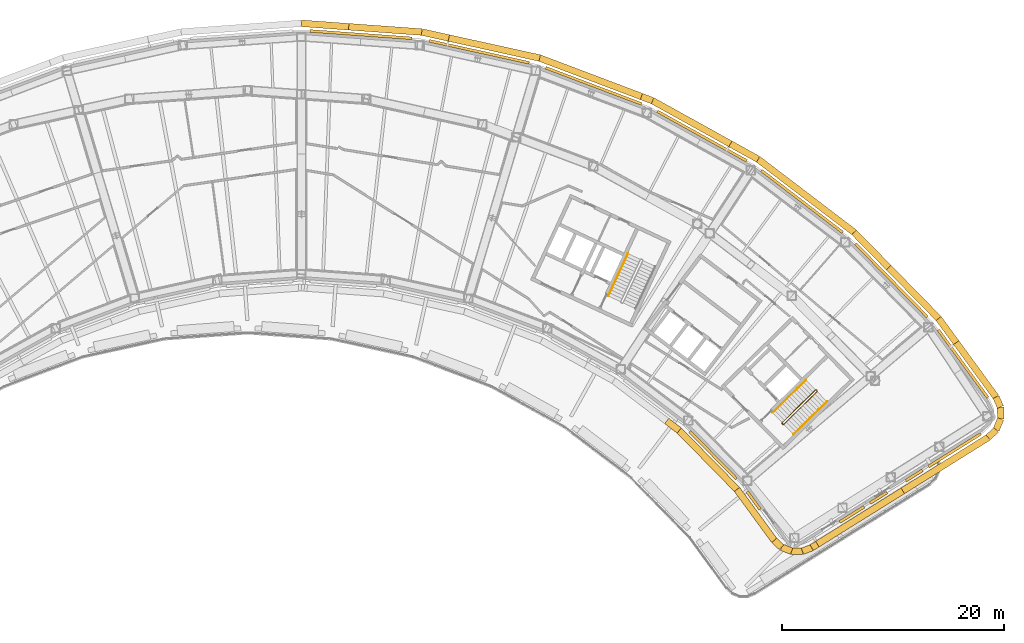
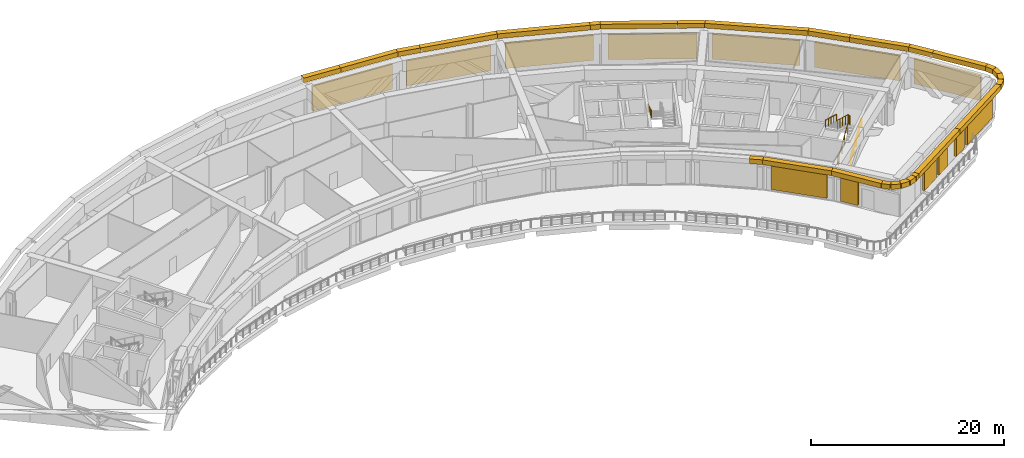
# One storey, part 23 of 25: 27 coverings, 13 shading devices, 4 railings.
"""IFC4 building model written with IfcOpenShell, lengths in metres."""

from ifc_helpers import new_model, si_unit, direction, frame, origin, origin_2d, place, context, subcontext, project, spatial, rectangle, circle, extrude, material, material_profile, profile_set, type_object, element, save


model = new_model("IFC4")

# Units and contexts
model_context = context("Model", 3, precision=1e-05, world=origin(), true_north=direction((0.0, 1.0)))
body_context = subcontext(model_context, "Body", "Model", "MODEL_VIEW")
ifc_project = project(units=[si_unit("LENGTHUNIT", "METRE"), si_unit("AREAUNIT", "SQUARE_METRE"), si_unit("VOLUMEUNIT", "CUBIC_METRE"), si_unit("PLANEANGLEUNIT", "RADIAN"), si_unit("MASSUNIT", "GRAM", prefix="KILO")], contexts=[model_context])

# Site, building, storey
site_placement = place(None, origin())
site = spatial("IfcSite", under=ifc_project, at=site_placement, CompositionType="ELEMENT")
building_placement = place(site_placement, origin())
building = spatial("IfcBuilding", under=site, at=building_placement, Name="Tuul Gate Civic Tower", CompositionType="ELEMENT")
storey_placement = place(building_placement, frame((0.0, 0.0, 60.89990234375)))
storey = spatial("IfcBuildingStorey", under=building, at=storey_placement, Name="Plant and refuge floor 2", CompositionType="ELEMENT", Elevation=60.89990234375)

# Shading devices
ifc_material_1 = material(Name="Aluminium louvre", Category="aluminium")
shading_device_type = type_object("IfcShadingDeviceType", Name="Louvre panel", PredefinedType="USERDEFINED", material=ifc_material_1)
shading_device_1_placement = place(storey_placement, frame((64.295166015625, -10.698974609375, 0.300048828125), z_axis=(0.0, 0.0, 1.0), x_axis=(0.807523128719, 0.589835906489, 0.0)))
element("IfcShadingDevice", 1, at=shading_device_1_placement, inside=storey, type_object=shading_device_type, Name="Louvre panel", ObjectType="LOUVRE", PredefinedType="USERDEFINED", context=body_context, shape_type="SweptSolid", body=[
    extrude(rectangle(XDim=0.25, YDim=7.550048828125, at=origin_2d()), origin(), (0.0, 0.0, 1.0), 3.14990234375),
])
for number, where, z_axis, x_axis, name in (
    (2, (57.853271484375, -3.194091796875, 0.300048828125), (0.0, 0.0, 1.0), (0.714100212908, 0.700043488595, 0.0), "Louvre panel"),
    (3, (49.80615234375, 3.907470703125, 0.300048828125), (0.0, 0.0, 1.0), (0.605807600786, 0.795611180684, 0.0), "Louvre panel"),
    (4, (40.820068359375, 9.775390625, 0.300048828125), (0.0, 0.0, 1.0), (0.484828595511, 0.874609188709, 0.0), "Louvre panel"),
    (5, (31.082275390625, 14.286865234375, 0.300048828125), (0.0, 0.0, 1.0), (0.35373363489, 0.935346200905, 0.0), "Louvre panel"),
    (6, (20.79541015625, 17.34814453125, 0.300048828125), (0.0, 0.0, 1.0), (0.215215147882, 0.976566659334, 0.0), "Louvre panel"),
    (7, (10.174560546875, 18.894775390625, 0.300048828125), (0.0, 0.0, 1.0), (0.072232658914, 0.997387809724, 0.0), "Louvre panel"),
):
    element("IfcShadingDevice", number, at=place(storey_placement, frame(where, z_axis=z_axis, x_axis=x_axis)), inside=storey, type_object=shading_device_type, Name=name, ObjectType="LOUVRE", PredefinedType="USERDEFINED", context=body_context, shape_type="SweptSolid", body=[
        extrude(rectangle(XDim=0.25, YDim=9.199951171875, at=origin_2d()), origin(), (0.0, 0.0, 1.0), 3.14990234375),
    ])
shading_device_2_placement = place(storey_placement, frame((41.8212890625, -18.909423828125, 0.300048828125), z_axis=(0.0, 0.0, 1.0), x_axis=(-0.714048093092, -0.700096651008, 0.0)))
element("IfcShadingDevice", 8, at=shading_device_2_placement, inside=storey, type_object=shading_device_type, Name="Louvre panel", ObjectType="LOUVRE", PredefinedType="USERDEFINED", context=body_context, shape_type="SweptSolid", body=[
    extrude(rectangle(XDim=0.25, YDim=6.0, at=origin_2d()), origin(), (0.0, 0.0, 1.0), 3.14990234375),
])
shading_device_3_placement = place(storey_placement, frame((63.529541015625, -18.46923828125, 0.300048828125), z_axis=(0.0, 0.0, 1.0), x_axis=(0.529911707044, -0.848052818366, 0.0)))
element("IfcShadingDevice", 9, at=shading_device_3_placement, inside=storey, type_object=shading_device_type, Name="Louvre panel", ObjectType="LOUVRE", PredefinedType="USERDEFINED", context=body_context, shape_type="SweptSolid", body=[
    extrude(rectangle(XDim=0.25, YDim=5.550048828125, at=origin_2d()), origin(), (0.0, 0.0, 1.0), 3.14990234375),
])
shading_device_4_placement = place(storey_placement, frame((45.47021484375, -22.987548828125, 0.300048828125), z_axis=(0.0, 0.0, 1.0), x_axis=(-0.807510971041, -0.589852550769, 0.0)))
element("IfcShadingDevice", 10, at=shading_device_4_placement, inside=storey, type_object=shading_device_type, Name="Louvre panel", ObjectType="LOUVRE", PredefinedType="USERDEFINED", context=body_context, shape_type="SweptSolid", body=[
    extrude(rectangle(XDim=0.25, YDim=1.972900390625, at=origin_2d()), origin(), (0.0, 0.0, 1.0), 3.14990234375),
])
shading_device_5_placement = place(storey_placement, frame((54.306396484375, -24.232421875, 0.300048828125), z_axis=(0.0, 0.0, 1.0), x_axis=(0.529911707044, -0.848052818366, 0.0)))
element("IfcShadingDevice", 11, at=shading_device_5_placement, inside=storey, type_object=shading_device_type, Name="Louvre panel", ObjectType="LOUVRE", PredefinedType="USERDEFINED", context=body_context, shape_type="SweptSolid", body=[
    extrude(rectangle(XDim=0.25, YDim=2.570068359375, at=origin_2d()), origin(), (0.0, 0.0, 1.0), 3.14990234375),
])
shading_device_6_placement = place(storey_placement, frame((56.689208984375, -22.743408203125, 0.300048828125), z_axis=(0.0, 0.0, 1.0), x_axis=(0.529911707044, -0.848052818366, 0.0)))
element("IfcShadingDevice", 12, at=shading_device_6_placement, inside=storey, type_object=shading_device_type, Name="Louvre panel", ObjectType="LOUVRE", PredefinedType="USERDEFINED", context=body_context, shape_type="SweptSolid", body=[
    extrude(rectangle(XDim=0.25, YDim=1.783935546875, at=origin_2d()), origin(), (0.0, 0.0, 1.0), 3.14990234375),
])
shading_device_7_placement = place(storey_placement, frame((59.890625, -20.742919921875, 0.300048828125), z_axis=(0.0, 0.0, 1.0), x_axis=(0.529911707044, -0.848052818366, 0.0)))
element("IfcShadingDevice", 13, at=shading_device_7_placement, inside=storey, type_object=shading_device_type, Name="Louvre panel", ObjectType="LOUVRE", PredefinedType="USERDEFINED", context=body_context, shape_type="SweptSolid", body=[
    extrude(rectangle(XDim=0.25, YDim=1.76611328125, at=origin_2d()), origin(), (0.0, 0.0, 1.0), 3.14990234375),
])

# Railings
ifc_material_2 = material(Name="Painted steel", Category="steel")
railing_type_1 = type_object("IfcRailingType", Name="Stair guard", PredefinedType="GUARDRAIL", material=ifc_material_2)
railing_1_placement = place(storey_placement, frame((48.10546875, -16.134765625, 0.0)))
element("IfcRailing", 14, at=railing_1_placement, inside=storey, type_object=railing_type_1, Name="Plant and refuge floor 2 ST-3 stair guard 1", PredefinedType="GUARDRAIL", context=body_context, shape_type="SweptSolid", body=[
    extrude(circle(Radius=0.02392578125, at=origin_2d()), frame((0.0, 0.0, 1.076171875), z_axis=(-0.698506948293, 0.715603272202, 0.0), x_axis=(-0.715603272202, -0.698506948293, 0.0)), (0.0, 0.0, 1.0), 0.099853515625),
    extrude(circle(Radius=0.02392578125, at=origin_2d()), frame((-0.06982421875, 0.071533203125, 1.076171875), z_axis=(0.644948864628, -0.331432055434, 0.688617277337), x_axis=(0.457068866502, 0.889431307788, 0.0)), (0.0, 0.0, 1.0), 0.218017578125),
    extrude(circle(Radius=0.02392578125, at=origin_2d()), frame((0.07080078125, -0.000732421875, 1.22607421875), z_axis=(0.63872519735, 0.62614306485, 0.44718562657), x_axis=(-0.700038283577, 0.714105315431, 0.0)), (0.0, 0.0, 1.0), 4.69580078125),
    extrude(circle(Radius=0.02392578125, at=origin_2d()), frame((3.070068359375, 2.939453125, 3.326171875), z_axis=(0.010380063588, 0.999946125689, 0.0), x_axis=(-0.999946125689, 0.010380063588, 0.0)), (0.0, 0.0, 1.0), 0.070556640625),
    extrude(circle(Radius=0.02392578125, at=origin_2d()), frame((3.07080078125, 3.010009765625, 3.326171875), z_axis=(-0.699754442181, 0.714383454909, 0.0), x_axis=(-0.714383454909, -0.699754442181, 0.0)), (0.0, 0.0, 1.0), 0.10009765625),
    extrude(circle(Radius=0.02392578125, at=origin_2d()), frame((3.000732421875, 3.08154296875, 3.326171875), z_axis=(-0.425296725904, 0.004414844906, 0.905043205643), x_axis=(-0.010380063588, -0.999946125689, 0.0)), (0.0, 0.0, 1.0), 0.166015625),
    extrude(circle(Radius=0.02392578125, at=origin_2d()), frame((2.93017578125, 3.082275390625, 3.47607421875), z_axis=(-0.638755976814, -0.626122271592, 0.447170776215), x_axis=(0.700009225839, -0.714133799606, 0.0)), (0.0, 0.0, 1.0), 4.69580078125),
    extrude(circle(Radius=0.02099609375, at=origin_2d()), origin(), (0.0, 0.0, 1.0), 1.052001953125),
    extrude(circle(Radius=0.02099609375, at=origin_2d()), frame((-0.06982421875, 0.071533203125, 0.0)), (0.0, 0.0, 1.0), 1.052001953125),
    extrude(circle(Radius=0.02099609375, at=origin_2d()), frame((0.07080078125, -0.000732421875, 0.150146484375)), (0.0, 0.0, 1.0), 1.052001953125),
    extrude(circle(Radius=0.02099609375, at=origin_2d()), frame((0.820556640625, 0.734375, 0.675048828125)), (0.0, 0.0, 1.0), 1.052001953125),
    extrude(circle(Radius=0.02099609375, at=origin_2d()), frame((1.5703125, 1.46923828125, 1.2001953125)), (0.0, 0.0, 1.0), 1.052001953125),
    extrude(circle(Radius=0.02099609375, at=origin_2d()), frame((2.3203125, 2.204345703125, 1.72509765625)), (0.0, 0.0, 1.0), 1.052001953125),
    extrude(circle(Radius=0.02099609375, at=origin_2d()), frame((3.070068359375, 2.939453125, 2.25)), (0.0, 0.0, 1.0), 1.052001953125),
    extrude(circle(Radius=0.02099609375, at=origin_2d()), frame((3.07080078125, 3.010009765625, 2.25)), (0.0, 0.0, 1.0), 1.052001953125),
    extrude(circle(Radius=0.02099609375, at=origin_2d()), frame((3.000732421875, 3.08154296875, 2.25)), (0.0, 0.0, 1.0), 1.052001953125),
    extrude(circle(Radius=0.02099609375, at=origin_2d()), frame((2.93017578125, 3.082275390625, 2.400146484375)), (0.0, 0.0, 1.0), 1.052001953125),
    extrude(circle(Radius=0.02099609375, at=origin_2d()), frame((2.18017578125, 2.34716796875, 2.925048828125)), (0.0, 0.0, 1.0), 1.052001953125),
    extrude(circle(Radius=0.02099609375, at=origin_2d()), frame((1.430419921875, 1.6123046875, 3.4501953125)), (0.0, 0.0, 1.0), 1.052001953125),
    extrude(circle(Radius=0.02099609375, at=origin_2d()), frame((0.6806640625, 0.877197265625, 3.97509765625)), (0.0, 0.0, 1.0), 1.052001953125),
    extrude(circle(Radius=0.02099609375, at=origin_2d()), frame((-0.0693359375, 0.14208984375, 4.5)), (0.0, 0.0, 1.0), 1.052001953125),
])
ifc_material_3 = material(Name="Painted steel", Category="steel")
railing_type_2 = type_object("IfcRailingType", Name="Stair handrail", PredefinedType="HANDRAIL", material=ifc_material_3)
railing_2_placement = place(storey_placement, frame((49.05126953125, -17.028076171875, 0.150146484375)))
element("IfcRailing", 15, at=railing_2_placement, inside=storey, type_object=railing_type_2, Name="Plant and refuge floor 2 ST-3 stair handrail 1", PredefinedType="HANDRAIL", context=body_context, shape_type="SweptSolid", body=[
    extrude(circle(Radius=0.02392578125, at=origin_2d()), frame((0.0, 0.0, 0.8759765625), z_axis=(0.63872519735, 0.62614306485, 0.44718562657), x_axis=(-0.700038283577, 0.714105315431, 0.0)), (0.0, 0.0, 1.0), 4.69580078125),
    extrude(circle(Radius=0.02099609375, at=origin_2d()), origin(), (0.0, 0.0, 1.0), 0.851806640625),
    extrude(circle(Radius=0.02099609375, at=origin_2d()), frame((0.749755859375, 0.735107421875, 0.52490234375)), (0.0, 0.0, 1.0), 0.851806640625),
    extrude(circle(Radius=0.02099609375, at=origin_2d()), frame((1.49951171875, 1.47021484375, 1.0498046875)), (0.0, 0.0, 1.0), 0.851806640625),
    extrude(circle(Radius=0.02099609375, at=origin_2d()), frame((2.24951171875, 2.205078125, 1.574951171875)), (0.0, 0.0, 1.0), 0.851806640625),
    extrude(circle(Radius=0.02099609375, at=origin_2d()), frame((2.999267578125, 2.940185546875, 2.099853515625)), (0.0, 0.0, 1.0), 0.851806640625),
])
railing_3_placement = place(storey_placement, frame((50.16064453125, -12.159912109375, 2.400146484375)))
element("IfcRailing", 16, at=railing_3_placement, inside=storey, type_object=railing_type_2, Name="Plant and refuge floor 2 ST-3 stair handrail 2", PredefinedType="HANDRAIL", context=body_context, shape_type="SweptSolid", body=[
    extrude(circle(Radius=0.02392578125, at=origin_2d()), frame((0.0, 0.0, 0.8759765625), z_axis=(-0.638776770035, -0.626090661303, 0.447185332824), x_axis=(0.699979580613, -0.714162857284, 0.0)), (0.0, 0.0, 1.0), 4.69580078125),
    extrude(circle(Radius=0.02099609375, at=origin_2d()), origin(), (0.0, 0.0, 1.0), 0.851806640625),
    extrude(circle(Radius=0.02099609375, at=origin_2d()), frame((-0.75, -0.73486328125, 0.52490234375)), (0.0, 0.0, 1.0), 0.851806640625),
    extrude(circle(Radius=0.02099609375, at=origin_2d()), frame((-1.499755859375, -1.469970703125, 1.0498046875)), (0.0, 0.0, 1.0), 0.851806640625),
    extrude(circle(Radius=0.02099609375, at=origin_2d()), frame((-2.24951171875, -2.205078125, 1.574951171875)), (0.0, 0.0, 1.0), 0.851806640625),
    extrude(circle(Radius=0.02099609375, at=origin_2d()), frame((-2.99951171875, -2.93994140625, 2.099853515625)), (0.0, 0.0, 1.0), 0.851806640625),
])
railing_4_placement = place(storey_placement, frame((34.1728515625, -0.795166015625, 2.400146484375)))
element("IfcRailing", 17, at=railing_4_placement, inside=storey, type_object=railing_type_2, Name="Plant and refuge floor 2 ST-4 stair handrail 2", PredefinedType="HANDRAIL", context=body_context, shape_type="SweptSolid", body=[
    extrude(circle(Radius=0.02392578125, at=origin_2d()), frame((0.0, 0.0, 0.8759765625), z_axis=(-0.377995593999, -0.810636768368, 0.447199464097), x_axis=(0.906312300116, -0.422608583275, 0.0)), (0.0, 0.0, 1.0), 4.695556640625),
    extrude(circle(Radius=0.02099609375, at=origin_2d()), origin(), (0.0, 0.0, 1.0), 0.851806640625),
    extrude(circle(Radius=0.02099609375, at=origin_2d()), frame((-0.44384765625, -0.95166015625, 0.52490234375)), (0.0, 0.0, 1.0), 0.851806640625),
    extrude(circle(Radius=0.02099609375, at=origin_2d()), frame((-0.887451171875, -1.9033203125, 1.0498046875)), (0.0, 0.0, 1.0), 0.851806640625),
    extrude(circle(Radius=0.02099609375, at=origin_2d()), frame((-1.3310546875, -2.854736328125, 1.574951171875)), (0.0, 0.0, 1.0), 0.851806640625),
    extrude(circle(Radius=0.02099609375, at=origin_2d()), frame((-1.77490234375, -3.806396484375, 2.099853515625)), (0.0, 0.0, 1.0), 0.851806640625),
])

# Coverings
ifc_material_4 = material(Name="Terracotta baguette", Category="masonry")
ifc_material_profile = material_profile(ifc_material_4, rectangle(XDim=0.60009765625, YDim=0.60009765625, at=origin_2d()), Name="Terracotta baguette screen frame")
ifc_profile_set = profile_set([ifc_material_profile], Name="Terracotta baguette")
covering_type = type_object("IfcCoveringType", Name="Terracotta baguette screen frame", PredefinedType="CLADDING", material=ifc_profile_set)
covering_1_placement = place(storey_placement, frame((63.67919921875, -8.7958984375, 4.150146484375), z_axis=(-0.589870466204, 0.80749788427, 0.0), x_axis=(-0.80749788427, -0.589870466204, 0.0)))
element("IfcCovering", 18, at=covering_1_placement, inside=storey, type_object=covering_type, Name="Baguette 21", PredefinedType="CLADDING", context=body_context, shape_type="SweptSolid", body=[
    extrude(rectangle(XDim=0.60009765625, YDim=0.60009765625, at=origin_2d()), origin(), (0.0, 0.0, 1.0), 2.68115234375),
])
covering_2_placement = place(storey_placement, frame((62.09765625, -6.630859375, 4.150146484375), z_axis=(-0.700019961155, 0.714123276462, 0.0), x_axis=(-0.714123276462, -0.700019961155, 0.0)))
element("IfcCovering", 19, at=covering_2_placement, inside=storey, type_object=covering_type, Name="Baguette 22", PredefinedType="CLADDING", context=body_context, shape_type="SweptSolid", body=[
    extrude(rectangle(XDim=0.60009765625, YDim=0.60009765625, at=origin_2d()), origin(), (0.0, 0.0, 1.0), 6.405029296875),
])
covering_3_placement = place(storey_placement, frame((43.377685546875, 9.072265625, 4.150146484375), z_axis=(-0.874607295517, 0.484832010731, 0.0), x_axis=(-0.484832010731, -0.874607295517, 0.0)))
element("IfcCovering", 20, at=covering_3_placement, inside=storey, type_object=covering_type, Name="Baguette 45", PredefinedType="CLADDING", context=body_context, shape_type="SweptSolid", body=[
    extrude(rectangle(XDim=0.60009765625, YDim=0.60009765625, at=origin_2d()), origin(), (0.0, 0.0, 1.0), 8.0029296875),
])
covering_4_placement = place(storey_placement, frame((36.378173828125, 12.952392578125, 4.150146484375), z_axis=(-0.935406677507, 0.353573680688, 0.0), x_axis=(-0.353573680688, -0.935406677507, 0.0)))
element("IfcCovering", 21, at=covering_4_placement, inside=storey, type_object=covering_type, Name="Baguette 46", PredefinedType="CLADDING", context=body_context, shape_type="SweptSolid", body=[
    extrude(rectangle(XDim=0.60009765625, YDim=0.60009765625, at=origin_2d()), origin(), (0.0, 0.0, 1.0), 1.069580078125),
])
covering_5_placement = place(storey_placement, frame((18.061279296875, 18.590576171875, 4.150146484375), z_axis=(-0.976555025342, 0.21526793184, 0.0), x_axis=(-0.21526793184, -0.976555025342, 0.0)))
element("IfcCovering", 22, at=covering_5_placement, inside=storey, type_object=covering_type, Name="Baguette 63", PredefinedType="CLADDING", context=body_context, shape_type="SweptSolid", body=[
    extrude(rectangle(XDim=0.60009765625, YDim=0.60009765625, at=origin_2d()), origin(), (0.0, 0.0, 1.0), 2.48828125),
])
covering_6_placement = place(storey_placement, frame((15.63134765625, 19.126220703125, 4.150146484375), z_axis=(-0.997387816704, 0.07223256253, 0.0), x_axis=(-0.07223256253, -0.997387816704, 0.0)))
element("IfcCovering", 23, at=covering_6_placement, inside=storey, type_object=covering_type, Name="Baguette 64", PredefinedType="CLADDING", context=body_context, shape_type="SweptSolid", body=[
    extrude(rectangle(XDim=0.60009765625, YDim=0.60009765625, at=origin_2d()), origin(), (0.0, 0.0, 1.0), 6.583984375),
])
covering_7_placement = place(storey_placement, frame((51.193115234375, -26.914794921875, 4.150146484375), z_axis=(0.848051326016, 0.529914095342, 0.0), x_axis=(-0.529914095342, 0.848051326016, 0.0)))
element("IfcCovering", 24, at=covering_7_placement, inside=storey, type_object=covering_type, Name="Baguette 282", PredefinedType="CLADDING", context=body_context, shape_type="SweptSolid", body=[
    extrude(rectangle(XDim=0.60009765625, YDim=0.60009765625, at=origin_2d()), origin(), (0.0, 0.0, 1.0), 9.052978515625),
])
covering_8_placement = place(storey_placement, frame((57.614013671875, -2.056884765625, 4.150146484375), z_axis=(-0.700042860718, 0.714100828426, 0.0), x_axis=(-0.714100828426, -0.700042860718, 0.0)))
element("IfcCovering", 25, at=covering_8_placement, inside=storey, type_object=covering_type, Name="Baguette 371", PredefinedType="CLADDING", context=body_context, shape_type="SweptSolid", body=[
    extrude(rectangle(XDim=0.60009765625, YDim=0.60009765625, at=origin_2d()), origin(), (0.0, 0.0, 1.0), 4.44580078125),
])
covering_9_placement = place(storey_placement, frame((54.501708984375, 1.117919921875, 4.150146484375), z_axis=(-0.795618643442, 0.605797799771, 0.0), x_axis=(-0.605797799771, -0.795618643442, 0.0)))
element("IfcCovering", 26, at=covering_9_placement, inside=storey, type_object=covering_type, Name="Baguette 372", PredefinedType="CLADDING", context=body_context, shape_type="SweptSolid", body=[
    extrude(rectangle(XDim=0.60009765625, YDim=0.60009765625, at=origin_2d()), origin(), (0.0, 0.0, 1.0), 10.851318359375),
])
covering_10_placement = place(storey_placement, frame((45.8681640625, 7.691650390625, 4.150146484375), z_axis=(-0.874601770465, 0.484841977451, 0.0), x_axis=(-0.484841977451, -0.874601770465, 0.0)))
element("IfcCovering", 27, at=covering_10_placement, inside=storey, type_object=covering_type, Name="Baguette 373", PredefinedType="CLADDING", context=body_context, shape_type="SweptSolid", body=[
    extrude(rectangle(XDim=0.60009765625, YDim=0.60009765625, at=origin_2d()), origin(), (0.0, 0.0, 1.0), 2.84765625),
])
covering_11_placement = place(storey_placement, frame((35.377685546875, 13.33056640625, 4.150146484375), z_axis=(-0.935341841687, 0.353745161367, 0.0), x_axis=(-0.353745161367, -0.935341841687, 0.0)))
element("IfcCovering", 28, at=covering_11_placement, inside=storey, type_object=covering_type, Name="Baguette 374", PredefinedType="CLADDING", context=body_context, shape_type="SweptSolid", body=[
    extrude(rectangle(XDim=0.60009765625, YDim=0.60009765625, at=origin_2d()), origin(), (0.0, 0.0, 1.0), 9.78173828125),
])
covering_12_placement = place(storey_placement, frame((26.228515625, 16.790771484375, 4.150146484375), z_axis=(-0.97656881378, 0.215205371572, 0.0), x_axis=(-0.215205371572, -0.97656881378, 0.0)))
element("IfcCovering", 29, at=covering_12_placement, inside=storey, type_object=covering_type, Name="Baguette 375", PredefinedType="CLADDING", context=body_context, shape_type="SweptSolid", body=[
    extrude(rectangle(XDim=0.60009765625, YDim=0.60009765625, at=origin_2d()), origin(), (0.0, 0.0, 1.0), 8.36328125),
])
covering_13_placement = place(storey_placement, frame((9.064453125, 19.601806640625, 4.150146484375), z_axis=(-0.99739029171, 0.072198379496, 0.0), x_axis=(-0.072198379496, -0.99739029171, 0.0)))
element("IfcCovering", 30, at=covering_13_placement, inside=storey, type_object=covering_type, Name="Baguette 376", PredefinedType="CLADDING", context=body_context, shape_type="SweptSolid", body=[
    extrude(rectangle(XDim=0.60009765625, YDim=0.60009765625, at=origin_2d()), origin(), (0.0, 0.0, 1.0), 4.267578125),
])
covering_14_placement = place(storey_placement, frame((37.649169921875, -15.8388671875, 4.150146484375), z_axis=(0.795581748372, -0.60584625249, 0.0), x_axis=(0.60584625249, 0.795581748372, 0.0)))
element("IfcCovering", 31, at=covering_14_placement, inside=storey, type_object=covering_type, Name="Baguette 395", PredefinedType="CLADDING", context=body_context, shape_type="SweptSolid", body=[
    extrude(rectangle(XDim=0.60009765625, YDim=0.60009765625, at=origin_2d()), origin(), (0.0, 0.0, 1.0), 1.419189453125),
])
covering_15_placement = place(storey_placement, frame((38.7783203125, -16.69873046875, 4.150146484375), z_axis=(0.700094774279, -0.714049933147, 0.0), x_axis=(0.714049933147, 0.700094774279, 0.0)))
element("IfcCovering", 32, at=covering_15_placement, inside=storey, type_object=covering_type, Name="Baguette 396", PredefinedType="CLADDING", context=body_context, shape_type="SweptSolid", body=[
    extrude(rectangle(XDim=0.60009765625, YDim=0.60009765625, at=origin_2d()), origin(), (0.0, 0.0, 1.0), 7.417724609375),
])
covering_16_placement = place(storey_placement, frame((43.971435546875, -21.995361328125, 4.150146484375), z_axis=(0.589862243157, -0.807503891073, 0.0), x_axis=(0.807503891073, 0.589862243157, 0.0)))
element("IfcCovering", 33, at=covering_16_placement, inside=storey, type_object=covering_type, Name="Baguette 397", PredefinedType="CLADDING", context=body_context, shape_type="SweptSolid", body=[
    extrude(rectangle(XDim=0.60009765625, YDim=0.60009765625, at=origin_2d()), origin(), (0.0, 0.0, 1.0), 5.671630859375),
])
covering_17_placement = place(storey_placement, frame((47.31689453125, -26.5751953125, 4.150146484375), z_axis=(0.729883388516, -0.68357167815, 0.0), x_axis=(0.68357167815, 0.729883388516, 0.0)))
element("IfcCovering", 34, at=covering_17_placement, inside=storey, type_object=covering_type, Name="Baguette 398", PredefinedType="CLADDING", context=body_context, shape_type="SweptSolid", body=[
    extrude(rectangle(XDim=0.60009765625, YDim=0.60009765625, at=origin_2d()), origin(), (0.0, 0.0, 1.0), 0.9013671875),
])
covering_18_placement = place(storey_placement, frame((47.974853515625, -27.19140625, 4.150146484375), z_axis=(0.929012088732, -0.370049373719, 0.0), x_axis=(0.370049373719, 0.929012088732, 0.0)))
element("IfcCovering", 35, at=covering_18_placement, inside=storey, type_object=covering_type, Name="Baguette 399", PredefinedType="CLADDING", context=body_context, shape_type="SweptSolid", body=[
    extrude(rectangle(XDim=0.60009765625, YDim=0.60009765625, at=origin_2d()), origin(), (0.0, 0.0, 1.0), 0.97314453125),
])
covering_19_placement = place(storey_placement, frame((48.87890625, -27.551513671875, 4.150146484375), z_axis=(0.999995475178, -0.003008259138, 0.0), x_axis=(0.003008259138, 0.999995475178, 0.0)))
element("IfcCovering", 36, at=covering_19_placement, inside=storey, type_object=covering_type, Name="Baguette 400", PredefinedType="CLADDING", context=body_context, shape_type="SweptSolid", body=[
    extrude(rectangle(XDim=0.60009765625, YDim=0.60009765625, at=origin_2d()), origin(), (0.0, 0.0, 1.0), 0.973876953125),
])
covering_20_placement = place(storey_placement, frame((49.852783203125, -27.554443359375, 4.150146484375), z_axis=(0.931801188997, 0.362969067807, 0.0), x_axis=(-0.362969067807, 0.931801188997, 0.0)))
element("IfcCovering", 37, at=covering_20_placement, inside=storey, type_object=covering_type, Name="Baguette 401", PredefinedType="CLADDING", context=body_context, shape_type="SweptSolid", body=[
    extrude(rectangle(XDim=0.60009765625, YDim=0.60009765625, at=origin_2d()), origin(), (0.0, 0.0, 1.0), 0.9013671875),
])
covering_21_placement = place(storey_placement, frame((50.692626953125, -27.227294921875, 4.150146484375), z_axis=(0.848230678095, 0.529626959981, 0.0), x_axis=(-0.529626959981, 0.848230678095, 0.0)))
element("IfcCovering", 38, at=covering_21_placement, inside=storey, type_object=covering_type, Name="Baguette 402", PredefinedType="CLADDING", context=body_context, shape_type="SweptSolid", body=[
    extrude(rectangle(XDim=0.60009765625, YDim=0.60009765625, at=origin_2d()), origin(), (0.0, 0.0, 1.0), 0.590087890625),
])
covering_22_placement = place(storey_placement, frame((58.87060546875, -22.117431640625, 4.150146484375), z_axis=(0.848051326016, 0.529914095342, 0.0), x_axis=(-0.529914095342, 0.848051326016, 0.0)))
element("IfcCovering", 39, at=covering_22_placement, inside=storey, type_object=covering_type, Name="Baguette 403", PredefinedType="CLADDING", context=body_context, shape_type="SweptSolid", body=[
    extrude(rectangle(XDim=0.60009765625, YDim=0.60009765625, at=origin_2d()), origin(), (0.0, 0.0, 1.0), 9.052978515625),
])
covering_23_placement = place(storey_placement, frame((66.548095703125, -17.320068359375, 4.150146484375), z_axis=(0.722137314744, 0.691749737011, 0.0), x_axis=(-0.691749737011, 0.722137314744, 0.0)))
element("IfcCovering", 40, at=covering_23_placement, inside=storey, type_object=covering_type, Name="Baguette 404", PredefinedType="CLADDING", context=body_context, shape_type="SweptSolid", body=[
    extrude(rectangle(XDim=0.60009765625, YDim=0.60009765625, at=origin_2d()), origin(), (0.0, 0.0, 1.0), 0.98828125),
])
covering_24_placement = place(storey_placement, frame((67.26171875, -16.636474609375, 4.150146484375), z_axis=(0.385590096332, 0.922670188968, 0.0), x_axis=(-0.922670188968, 0.385590096332, 0.0)))
element("IfcCovering", 41, at=covering_24_placement, inside=storey, type_object=covering_type, Name="Baguette 405", PredefinedType="CLADDING", context=body_context, shape_type="SweptSolid", body=[
    extrude(rectangle(XDim=0.60009765625, YDim=0.60009765625, at=origin_2d()), origin(), (0.0, 0.0, 1.0), 1.06689453125),
])
covering_25_placement = place(storey_placement, frame((67.673095703125, -15.652099609375, 4.150146484375), z_axis=(-0.014411680901, 0.999896146334, 0.0), x_axis=(-0.999896146334, -0.014411680901, 0.0)))
element("IfcCovering", 42, at=covering_25_placement, inside=storey, type_object=covering_type, Name="Baguette 406", PredefinedType="CLADDING", context=body_context, shape_type="SweptSolid", body=[
    extrude(rectangle(XDim=0.60009765625, YDim=0.60009765625, at=origin_2d()), origin(), (0.0, 0.0, 1.0), 1.067138671875),
])
covering_26_placement = place(storey_placement, frame((67.65771484375, -14.5849609375, 4.150146484375), z_axis=(-0.412573349968, 0.910924382644, 0.0), x_axis=(-0.910924382644, -0.412573349968, 0.0)))
element("IfcCovering", 43, at=covering_26_placement, inside=storey, type_object=covering_type, Name="Baguette 407", PredefinedType="CLADDING", context=body_context, shape_type="SweptSolid", body=[
    extrude(rectangle(XDim=0.60009765625, YDim=0.60009765625, at=origin_2d()), origin(), (0.0, 0.0, 1.0), 0.987548828125),
])
covering_27_placement = place(storey_placement, frame((67.250244140625, -13.685302734375, 4.150146484375), z_axis=(-0.58980325004, 0.807546980827, 0.0), x_axis=(-0.807546980827, -0.58980325004, 0.0)))
element("IfcCovering", 44, at=covering_27_placement, inside=storey, type_object=covering_type, Name="Baguette 408", PredefinedType="CLADDING", context=body_context, shape_type="SweptSolid", body=[
    extrude(rectangle(XDim=0.60009765625, YDim=0.60009765625, at=origin_2d()), origin(), (0.0, 0.0, 1.0), 6.0546875),
])

save(model, "model.ifc")
